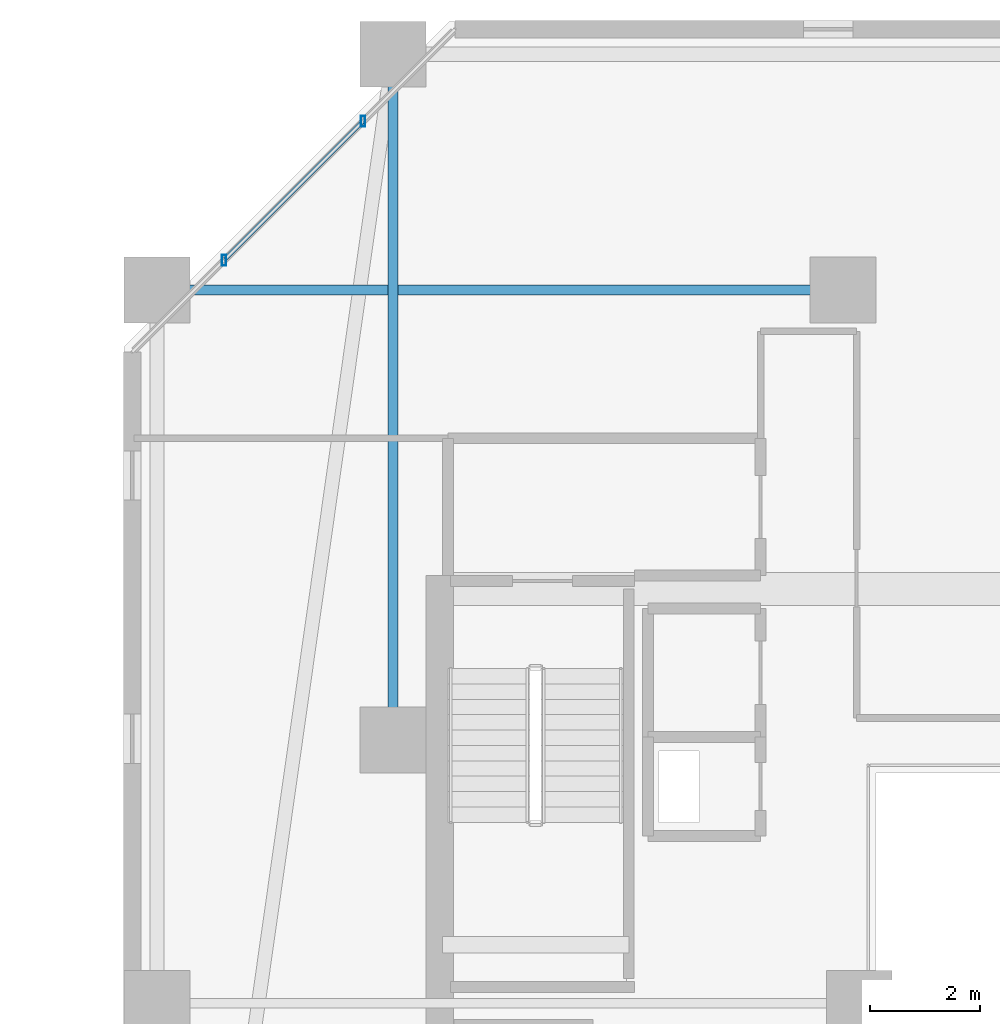
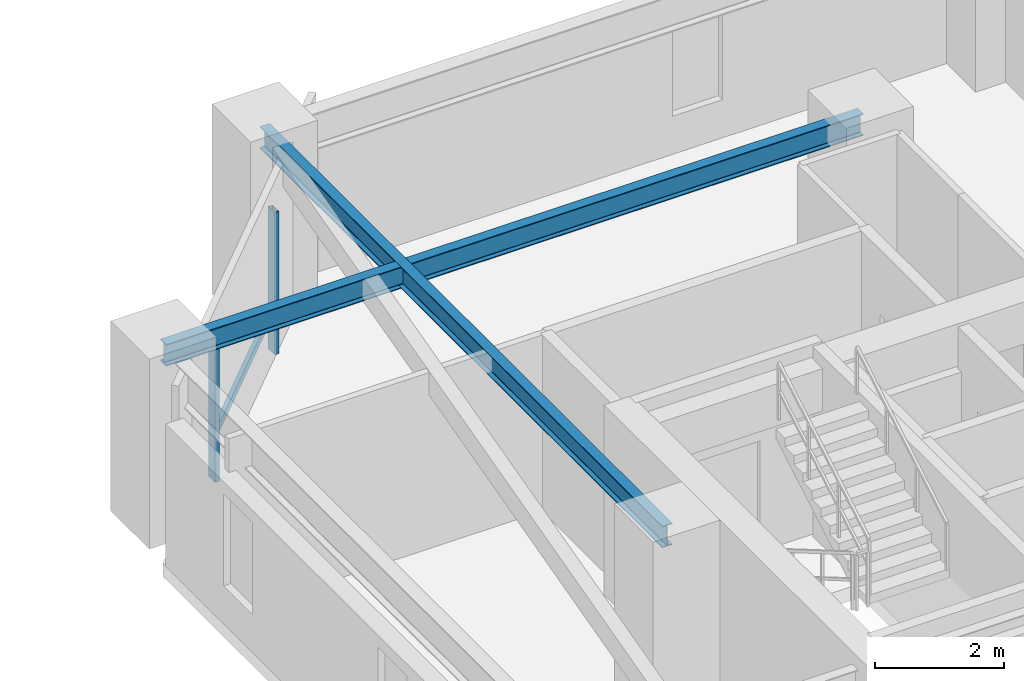
# One storey, part 14 of 32: 3 members, 2 beams, 1 element without a shape of its own.
"""IFC4 building model written with IfcOpenShell, lengths in metres."""

import ifcopenshell
import ifcopenshell.guid

model = None  # the IFC model being written
_history = None  # IfcOwnerHistory: only IFC2X3 demands one
_inside = {}  # id of a spatial element -> (the spatial element, [elements in it])
_under = {}  # id of a project, library or spatial element -> (it, [spatial elements below it])
_declared = {}  # id of a project -> (the project, [libraries it declares])
_typed = {}  # id of a type object -> (the type object, [elements of that type])
_made_of = {}  # id of a material, layer set ... -> (it, [elements and type objects made of it])


def new_model(schema):
    """Start an empty IFC model of exactly this schema.

    Asked for "IFC4X3", IfcOpenShell would pick the latest addendum, in which some entities
    have other attributes; the version numbers below select the first issue.
    IFC2X3 requires an IfcOwnerHistory on every rooted entity: one is made here for all.
    """
    global model, _history
    if schema == "IFC4X3":
        model = ifcopenshell.file(schema_version=(4, 3, 0, 0))
    else:
        model = ifcopenshell.file(schema=schema)
    _inside.clear()
    _under.clear()
    _declared.clear()
    _typed.clear()
    _made_of.clear()
    _history = None
    if model.schema == "IFC2X3":
        org = make("IfcOrganization", Name="unknown")
        user = make(
            "IfcPersonAndOrganization",
            ThePerson=make("IfcPerson", FamilyName="unknown"),
            TheOrganization=org,
        )
        app = make(
            "IfcApplication",
            ApplicationDeveloper=org,
            Version="unknown",
            ApplicationFullName="unknown",
            ApplicationIdentifier="unknown",
        )
        _history = make(
            "IfcOwnerHistory",
            OwningUser=user,
            OwningApplication=app,
            ChangeAction="ADDED",
            CreationDate=0,
        )
    return model


def make(cls, **values):
    """One entity of the class cls with the attributes given. An attribute that is None is left unset."""
    return model.create_entity(
        cls, **{name: value for name, value in values.items() if value is not None}
    )


def rooted(cls, **values):
    """An entity with a GlobalId (a new one), such as an element, a storey or a relation."""
    return make(cls, GlobalId=ifcopenshell.guid.new(), OwnerHistory=_history, **values)


def si_unit(unit_type, name, prefix=None):
    """IfcSIUnit, for example si_unit("LENGTHUNIT", "METRE", prefix="MILLI")."""
    return make("IfcSIUnit", UnitType=unit_type, Prefix=prefix, Name=name)


def assignment(units):
    """IfcUnitAssignment: the units of a project."""
    return None if units is None else make("IfcUnitAssignment", Units=units)


def point(xyz):
    """IfcCartesianPoint."""
    return None if xyz is None else make("IfcCartesianPoint", Coordinates=xyz)


def direction(xyz):
    """IfcDirection."""
    return None if xyz is None else make("IfcDirection", DirectionRatios=xyz)


def frame(location, z_axis=None, x_axis=None):
    """IfcAxis2Placement3D, a coordinate frame: its origin and axes. An axis left out is left unset."""
    return make(
        "IfcAxis2Placement3D",
        Location=point(location),
        Axis=direction(z_axis),
        RefDirection=direction(x_axis),
    )


def frame_2d(location, x_axis=None):
    """IfcAxis2Placement2D, a coordinate frame in the plane: its origin and x axis."""
    return make(
        "IfcAxis2Placement2D", Location=point(location), RefDirection=direction(x_axis)
    )


def origin():
    """The frame at (0, 0, 0) with its axes left unset."""
    return frame((0.0, 0.0, 0.0))


def origin_2d():
    """The frame at (0, 0) in the plane with its x axis left unset."""
    return frame_2d((0.0, 0.0))


def place(relative_to, where):
    """IfcLocalPlacement: puts the frame where relative to a parent placement (None: the world)."""
    return make(
        "IfcLocalPlacement", PlacementRelTo=relative_to, RelativePlacement=where
    )


def context(
    kind, dimensions, precision=None, world=None, true_north=None, identifier=None
):
    """IfcGeometricRepresentationContext, for example the 3D "Model" context."""
    return make(
        "IfcGeometricRepresentationContext",
        ContextIdentifier=identifier,
        ContextType=kind,
        CoordinateSpaceDimension=dimensions,
        Precision=precision,
        WorldCoordinateSystem=world,
        TrueNorth=true_north,
    )


def subcontext(parent, identifier, kind, view, scale=None):
    """IfcGeometricRepresentationSubContext, for example "Body" below "Model"."""
    return make(
        "IfcGeometricRepresentationSubContext",
        ContextIdentifier=identifier,
        ContextType=kind,
        ParentContext=parent,
        TargetScale=scale,
        TargetView=view,
    )


def project(units=None, contexts=None):
    """IfcProject with its units and contexts."""
    return rooted(
        "IfcProject",
        Name="project",
        RepresentationContexts=contexts,
        UnitsInContext=assignment(units),
    )


def spatial(cls, under=None, at=None, **own):
    """A site, building, storey or space (cls), placed at a placement, below another one or the project."""
    s = rooted(cls, ObjectPlacement=at, **own)
    if under is not None:
        _under.setdefault(under.id(), (under, []))[1].append(s)
    return s


def profile(cls, at=None, kind="AREA", **sizes):
    """A parametric profile (cls). Its sizes go by their IFC names, for example OverallWidth=200.0."""
    return make(cls, ProfileType=kind, Position=at, **sizes)


def hollow_rectangle(**sizes):
    """IfcRectangleHollowProfileDef."""
    return profile("IfcRectangleHollowProfileDef", **sizes)


def i_section(**sizes):
    """IfcIShapeProfileDef."""
    return profile("IfcIShapeProfileDef", **sizes)


def extrude(swept, where, along, depth):
    """IfcExtrudedAreaSolid: the profile swept, set in the frame where, extruded along a direction by depth."""
    return make(
        "IfcExtrudedAreaSolid",
        SweptArea=swept,
        Position=where,
        ExtrudedDirection=direction(along),
        Depth=depth,
    )


def shape(context_of_items, identifier, shape_type, items):
    """IfcShapeRepresentation: the items that make up one representation, for example the "Body"."""
    return make(
        "IfcShapeRepresentation",
        ContextOfItems=context_of_items,
        RepresentationIdentifier=identifier,
        RepresentationType=shape_type,
        Items=items,
    )


def material(Name=None, Category=None):
    """IfcMaterial."""
    return make("IfcMaterial", Name=Name, Category=Category)


def material_profile(
    of_material, cross_section, Name=None, Category=None, Priority=None
):
    """IfcMaterialProfile: a cross section and its material."""
    return make(
        "IfcMaterialProfile",
        Name=Name,
        Material=of_material,
        Profile=cross_section,
        Priority=Priority,
        Category=Category,
    )


def profile_set(profiles, Name=None, composite=None):
    """IfcMaterialProfileSet."""
    return make(
        "IfcMaterialProfileSet",
        Name=Name,
        MaterialProfiles=profiles,
        CompositeProfile=composite,
    )


def made_of(thing, what):
    """Note that an element or type object is made of a material, layer set ...; save() writes the relation."""
    if what is not None:
        _made_of.setdefault(what.id(), (what, []))[1].append(thing)
    return thing


def type_object(cls, material=None, **own):
    """A type object (cls), such as IfcWallType, which elements share."""
    return made_of(rooted(cls, **own), material)


def element(
    cls,
    number,
    at=None,
    inside=None,
    cuts=None,
    type_object=None,
    material=None,
    context=None,
    identifier="Body",
    shape_type=None,
    held_by="IfcProductDefinitionShape",
    body=None,
    shapes=None,
    **own,
):
    """One element of the class cls, such as IfcWall. Its Tag is "e" and its number.

    at: its placement. inside: the storey or other place that contains it. cuts: it is an
    opening in that element (IfcRelVoidsElement). A single representation is given by context,
    identifier, shape_type and body (its items); several are given by shapes. held_by: the class
    of the entity that holds the representations. save() writes the other relations.
    """
    e = rooted(cls, Tag="e%d" % number, ObjectPlacement=at, **own)
    if body is not None:
        shapes = [shape(context, identifier, shape_type, body)]
    if shapes is not None:
        e.Representation = make(held_by, Representations=shapes)
    if inside is not None:
        _inside.setdefault(inside.id(), (inside, []))[1].append(e)
    if cuts is not None:
        rooted(
            "IfcRelVoidsElement", RelatingBuildingElement=cuts, RelatedOpeningElement=e
        )
    if type_object is not None:
        _typed.setdefault(type_object.id(), (type_object, []))[1].append(e)
    return made_of(e, material)


def aggregate(whole, parts):
    """IfcRelAggregates: a whole, such as a stair, and the parts it consists of."""
    return rooted("IfcRelAggregates", RelatingObject=whole, RelatedObjects=parts)


def save(model, path):
    """Write the relations noted so far, then the file.

    IfcRelAggregates (storeys below a building ...), IfcRelContainedInSpatialStructure (elements
    in a storey), IfcRelDefinesByType, IfcRelAssociatesMaterial and IfcRelDeclares: one each for
    every whole, place, type object, material and project.
    """
    for whole, parts in _under.values():
        aggregate(whole, parts)
    for where, things in _inside.values():
        rooted(
            "IfcRelContainedInSpatialStructure",
            RelatedElements=things,
            RelatingStructure=where,
        )
    for kind, things in _typed.values():
        rooted("IfcRelDefinesByType", RelatedObjects=things, RelatingType=kind)
    for what, things in _made_of.values():
        rooted("IfcRelAssociatesMaterial", RelatedObjects=things, RelatingMaterial=what)
    for by, libraries in _declared.values():
        rooted("IfcRelDeclares", RelatingContext=by, RelatedDefinitions=libraries)
    model.write(path)


model = new_model("IFC4")

# Units and contexts
model_context = context("Model", 3, precision=1e-05, world=origin(), true_north=direction((0.0, 1.0)))
body_context = subcontext(model_context, "Body", "Model", "MODEL_VIEW")
ifc_project = project(units=[si_unit("LENGTHUNIT", "METRE"), si_unit("AREAUNIT", "SQUARE_METRE"), si_unit("VOLUMEUNIT", "CUBIC_METRE"), si_unit("PLANEANGLEUNIT", "RADIAN"), si_unit("MASSUNIT", "GRAM", prefix="KILO")], contexts=[model_context])

# Site, building, storey
site_placement = place(None, origin())
site = spatial("IfcSite", under=ifc_project, at=site_placement, CompositionType="ELEMENT")
building_placement = place(site_placement, origin())
building = spatial("IfcBuilding", under=site, at=building_placement, Name="Thornwick Lancets Civic Towers", CompositionType="ELEMENT")
storey_placement = place(building_placement, frame((0.0, 0.0, 123.300048828125)))
storey = spatial("IfcBuildingStorey", under=building, at=storey_placement, Name="L32", CompositionType="ELEMENT", Elevation=123.300048828125)

# Beams
ifc_material_1 = material(Name="Steel S355JR", Category="steel")
ifc_material_profile_1 = material_profile(ifc_material_1, i_section(OverallWidth=0.179443359375, OverallDepth=0.412841796875, WebThickness=0.009521484375, FlangeThickness=0.01611328125, FilletRadius=0.01025390625, at=origin_2d()), Name="UKB 406x178x74")
ifc_profile_set_1 = profile_set([ifc_material_profile_1], Name="Steel S355JR")
beam_type = type_object("IfcBeamType", Name="BM_JOIST_406_74", PredefinedType="JOIST", material=ifc_profile_set_1)
for number, where, z_axis, x_axis, name in (
    (1, (75.5, 31.800048828125, 3.153564453125), (0.0, 1.0, 0.0), (-1.0, 0.0, 0.0), "BM-RADIN-L32-B06"),
    (2, (83.699951171875, 40.0, 3.153564453125), (-1.0, 0.0, 0.0), (0.0, -1.0, 0.0), "BM-RADIN-L32-B09"),
):
    element("IfcBeam", number, at=place(storey_placement, frame(where, z_axis=z_axis, x_axis=x_axis)), inside=storey, type_object=beam_type, Name=name, PredefinedType="JOIST", context=body_context, shape_type="SweptSolid", body=[
        extrude(i_section(OverallWidth=0.179443359375, OverallDepth=0.412841796875, WebThickness=0.009521484375, FlangeThickness=0.01611328125, FilletRadius=0.01025390625, at=origin_2d()), origin(), (0.0, 0.0, 1.0), 12.5),
    ])

# Curtain wall, members
ifc_material_2 = material(Name="Mid-zone chamfered-corner unitised glass curtain wall", Category="glass")
curtain_wall_type = type_object("IfcCurtainWallType", Name="CW_SYS_04", PredefinedType="NOTDEFINED", material=ifc_material_2)
curtain_wall_placement = place(storey_placement, origin())
curtain_wall = element("IfcCurtainWall", 3, at=curtain_wall_placement, inside=storey, type_object=curtain_wall_type, Name="L32 Curtain Wall CW-L32-B-E5", PredefinedType="NOTDEFINED")
ifc_material_3 = material(Name="Thermally broken bronze aluminium S355", Category="steel")
ifc_material_profile_2 = material_profile(ifc_material_3, hollow_rectangle(XDim=0.080078125, YDim=0.199951171875, WallThickness=0.006103515625, at=origin_2d()), Name="RHS 200x80x6")
ifc_profile_set_2 = profile_set([ifc_material_profile_2], Name="Thermally broken bronze aluminium S355")
member_type_1 = type_object("IfcMemberType", Name="CW_MUL_200", PredefinedType="MULLION", material=ifc_profile_set_2)
member_1_placement = place(storey_placement, frame((74.953125, 43.0791015625, 0.0), z_axis=(0.0, 0.0, 1.0), x_axis=(1.0, 0.0, 0.0)))
member_1 = element("IfcMember", 4, at=member_1_placement, type_object=member_type_1, Name="CW-L32-B-E5 Mullion 0", PredefinedType="MULLION", context=body_context, shape_type="SweptSolid", body=[
    extrude(hollow_rectangle(XDim=0.080078125, YDim=0.199951171875, WallThickness=0.006103515625, at=origin_2d()), origin(), (0.0, 0.0, 1.0), 2.699951171875),
])
member_2_placement = place(storey_placement, frame((72.4208984375, 40.546875, 0.0), z_axis=(0.0, 0.0, 1.0), x_axis=(1.0, 0.0, 0.0)))
member_2 = element("IfcMember", 5, at=member_2_placement, type_object=member_type_1, Name="CW-L32-B-E5 Mullion 1", PredefinedType="MULLION", context=body_context, shape_type="SweptSolid", body=[
    extrude(hollow_rectangle(XDim=0.080078125, YDim=0.199951171875, WallThickness=0.006103515625, at=origin_2d()), origin(), (0.0, 0.0, 1.0), 2.699951171875),
])
ifc_material_profile_3 = material_profile(ifc_material_3, hollow_rectangle(XDim=0.074951171875, YDim=0.14990234375, WallThickness=0.0048828125, at=origin_2d()), Name="RHS 150x75x5")
ifc_profile_set_3 = profile_set([ifc_material_profile_3], Name="Thermally broken bronze aluminium S355")
member_type_2 = type_object("IfcMemberType", Name="CW_TRN_150", PredefinedType="USERDEFINED", material=ifc_profile_set_3)
member_3_placement = place(storey_placement, frame((74.93896484375, 43.06494140625, 0.849853515625), z_axis=(-0.707106781187, -0.707106781187, 0.0), x_axis=(0.707106781187, -0.707106781187, 0.0)))
member_3 = element("IfcMember", 6, at=member_3_placement, type_object=member_type_2, Name="CW-L32-B-E5 Transom 0", ObjectType="TRANSOM", PredefinedType="USERDEFINED", context=body_context, shape_type="SweptSolid", body=[
    extrude(hollow_rectangle(XDim=0.074951171875, YDim=0.14990234375, WallThickness=0.0048828125, at=origin_2d()), origin(), (0.0, 0.0, 1.0), 3.541015625),
])
aggregate(curtain_wall, [member_1, member_2, member_3])

save(model, "model.ifc")
